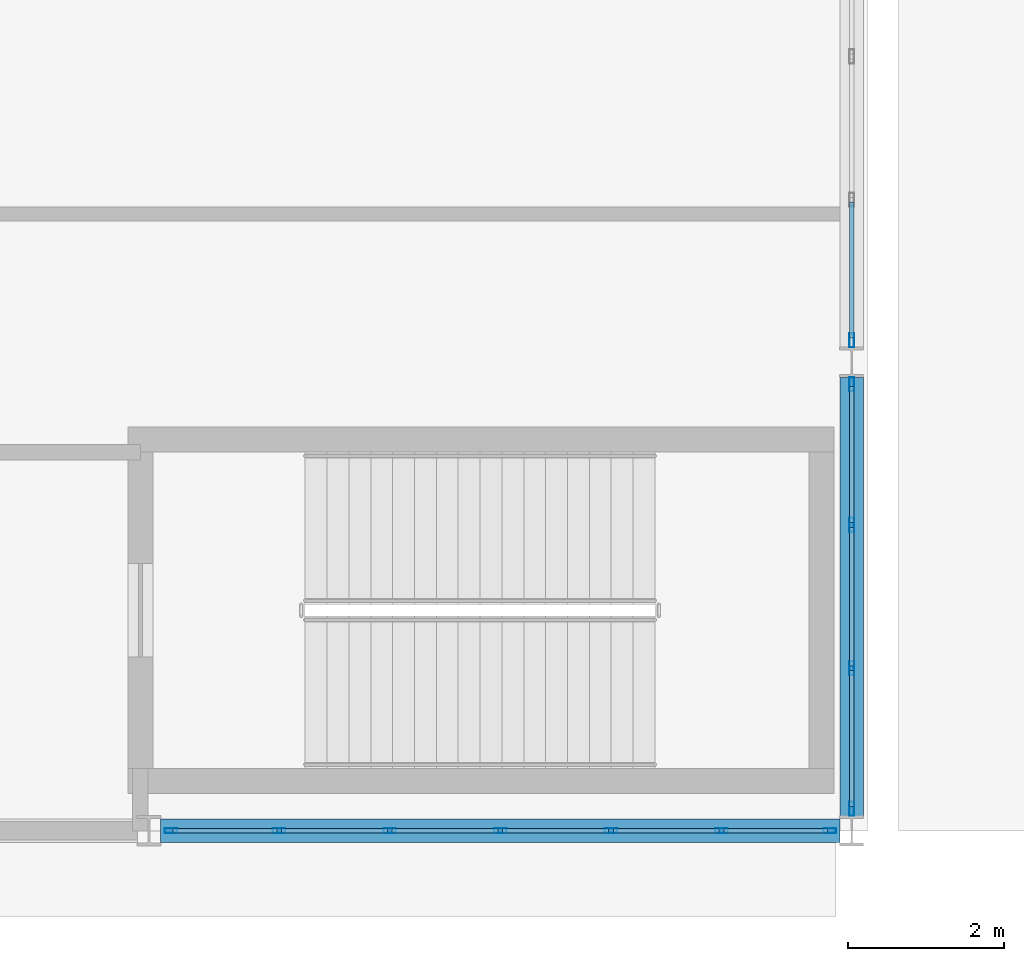
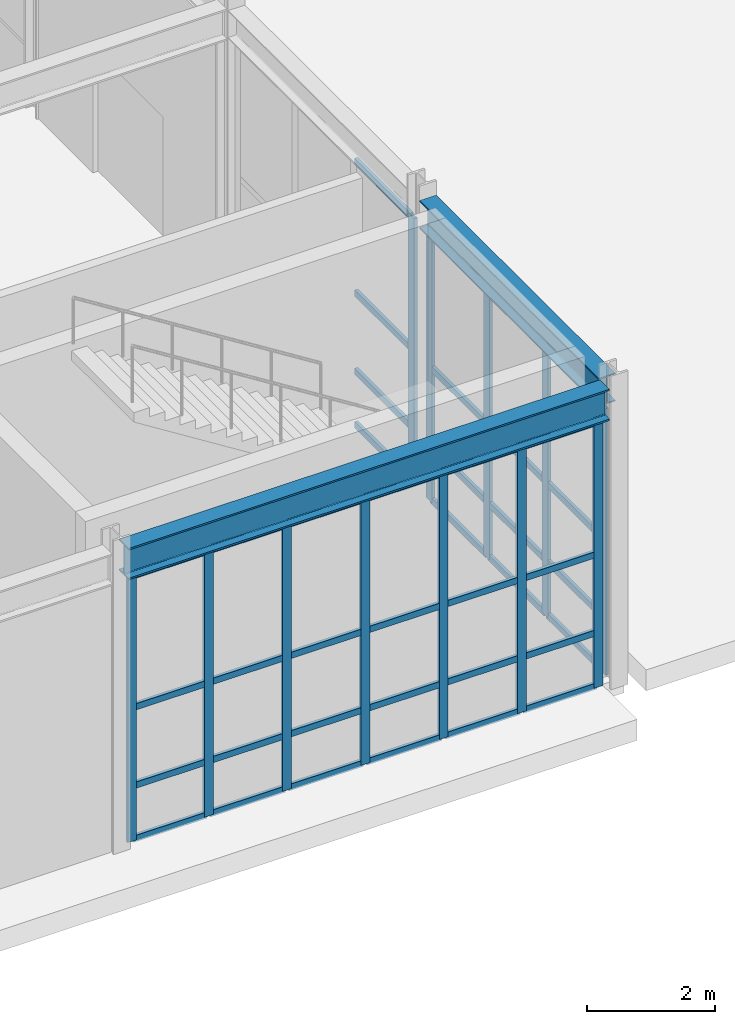
# One storey, part 36 of 146: 52 members, 2 beams, 3 elements without a shape of their own.
"""IFC4 building model written with IfcOpenShell, lengths in metres."""

from ifc_helpers import new_model, si_unit, direction, frame, origin, origin_2d, place, context, subcontext, project, spatial, hollow_rectangle, i_section, extrude, material, material_profile, profile_set, type_object, element, aggregate, save


model = new_model("IFC4")

# Units and contexts
model_context = context("Model", 3, precision=1e-05, world=origin(), true_north=direction((0.0, 1.0)))
body_context = subcontext(model_context, "Body", "Model", "MODEL_VIEW")
ifc_project = project(units=[si_unit("LENGTHUNIT", "METRE"), si_unit("AREAUNIT", "SQUARE_METRE"), si_unit("VOLUMEUNIT", "CUBIC_METRE"), si_unit("PLANEANGLEUNIT", "RADIAN"), si_unit("MASSUNIT", "GRAM", prefix="KILO")], contexts=[model_context])

# Site, building, storey
site_placement = place(None, origin())
site = spatial("IfcSite", under=ifc_project, at=site_placement, CompositionType="ELEMENT")
building_placement = place(site_placement, origin())
building = spatial("IfcBuilding", under=site, at=building_placement, Name="Kaldris Quays Convention Centre", CompositionType="ELEMENT")
storey_placement = place(building_placement, origin())
storey = spatial("IfcBuildingStorey", under=building, at=storey_placement, Name="L00", CompositionType="ELEMENT", Elevation=0.0)

# Curtain wall, members
ifc_material_1 = material(Name="Anodized aluminium AW-6060 and triple glazing", Category="aluminium")
curtain_wall_type_1 = type_object("IfcCurtainWallType", Name="UNITISED CURTAIN WALL CW01", PredefinedType="NOTDEFINED", material=ifc_material_1)
curtain_wall_1_placement = place(storey_placement, origin())
curtain_wall_1 = element("IfcCurtainWall", 1, at=curtain_wall_1_placement, inside=storey, type_object=curtain_wall_type_1, Name="L00 Unitised Curtain Wall CW01 49", PredefinedType="NOTDEFINED")
ifc_material_2 = material(Name="Anodized aluminium AW-6060", Category="aluminium")
ifc_material_profile_1 = material_profile(ifc_material_2, hollow_rectangle(XDim=0.06005859375, YDim=0.159912109375, WallThickness=0.00390625, at=origin_2d()), Name="RHS 160x60x4")
ifc_profile_set_1 = profile_set([ifc_material_profile_1], Name="Anodized aluminium AW-6060")
member_type_1 = type_object("IfcMemberType", Name="CURTAIN MULLION CWM1", PredefinedType="MULLION", material=ifc_profile_set_1)
member_1_placement = place(storey_placement, frame((74.280029296875, 16.0, 0.0), z_axis=(0.0, 0.0, 1.0), x_axis=(0.0, 1.0, 0.0)))
member_1 = element("IfcMember", 2, at=member_1_placement, type_object=member_type_1, Name="CW01 mullion 1", PredefinedType="MULLION", context=body_context, shape_type="SweptSolid", body=[
    extrude(hollow_rectangle(XDim=0.06005859375, YDim=0.159912109375, WallThickness=0.00390625, at=origin_2d()), origin(), (0.0, 0.0, 1.0), 5.097900390625),
])
member_2_placement = place(storey_placement, frame((75.666748046875, 16.0, 0.0), z_axis=(0.0, 0.0, 1.0), x_axis=(0.0, 1.0, 0.0)))
member_2 = element("IfcMember", 3, at=member_2_placement, type_object=member_type_1, Name="CW01 mullion 2", PredefinedType="MULLION", context=body_context, shape_type="SweptSolid", body=[
    extrude(hollow_rectangle(XDim=0.06005859375, YDim=0.159912109375, WallThickness=0.00390625, at=origin_2d()), origin(), (0.0, 0.0, 1.0), 5.097900390625),
])
member_3_placement = place(storey_placement, frame((77.083251953125, 16.0, 0.0), z_axis=(0.0, 0.0, 1.0), x_axis=(0.0, 1.0, 0.0)))
member_3 = element("IfcMember", 4, at=member_3_placement, type_object=member_type_1, Name="CW01 mullion 3", PredefinedType="MULLION", context=body_context, shape_type="SweptSolid", body=[
    extrude(hollow_rectangle(XDim=0.06005859375, YDim=0.159912109375, WallThickness=0.00390625, at=origin_2d()), origin(), (0.0, 0.0, 1.0), 5.097900390625),
])
member_4_placement = place(storey_placement, frame((78.5, 16.0, 0.0), z_axis=(0.0, 0.0, 1.0), x_axis=(0.0, 1.0, 0.0)))
member_4 = element("IfcMember", 5, at=member_4_placement, type_object=member_type_1, Name="CW01 mullion 4", PredefinedType="MULLION", context=body_context, shape_type="SweptSolid", body=[
    extrude(hollow_rectangle(XDim=0.06005859375, YDim=0.159912109375, WallThickness=0.00390625, at=origin_2d()), origin(), (0.0, 0.0, 1.0), 5.097900390625),
])
member_5_placement = place(storey_placement, frame((79.916748046875, 16.0, 0.0), z_axis=(0.0, 0.0, 1.0), x_axis=(0.0, 1.0, 0.0)))
member_5 = element("IfcMember", 6, at=member_5_placement, type_object=member_type_1, Name="CW01 mullion 5", PredefinedType="MULLION", context=body_context, shape_type="SweptSolid", body=[
    extrude(hollow_rectangle(XDim=0.06005859375, YDim=0.159912109375, WallThickness=0.00390625, at=origin_2d()), origin(), (0.0, 0.0, 1.0), 5.097900390625),
])
member_6_placement = place(storey_placement, frame((81.333251953125, 16.0, 0.0), z_axis=(0.0, 0.0, 1.0), x_axis=(0.0, 1.0, 0.0)))
member_6 = element("IfcMember", 7, at=member_6_placement, type_object=member_type_1, Name="CW01 mullion 6", PredefinedType="MULLION", context=body_context, shape_type="SweptSolid", body=[
    extrude(hollow_rectangle(XDim=0.06005859375, YDim=0.159912109375, WallThickness=0.00390625, at=origin_2d()), origin(), (0.0, 0.0, 1.0), 5.097900390625),
])
member_7_placement = place(storey_placement, frame((82.719970703125, 16.0, 0.0), z_axis=(0.0, 0.0, 1.0), x_axis=(0.0, 1.0, 0.0)))
member_7 = element("IfcMember", 8, at=member_7_placement, type_object=member_type_1, Name="CW01 mullion 7", PredefinedType="MULLION", context=body_context, shape_type="SweptSolid", body=[
    extrude(hollow_rectangle(XDim=0.06005859375, YDim=0.159912109375, WallThickness=0.00390625, at=origin_2d()), origin(), (0.0, 0.0, 1.0), 5.097900390625),
])

curtain_wall_type_2 = type_object("IfcCurtainWallType", Name="UNITISED CURTAIN WALL CW05", PredefinedType="NOTDEFINED", material=ifc_material_1)
curtain_wall_2_placement = place(storey_placement, origin())
curtain_wall_2 = element("IfcCurtainWall", 9, at=curtain_wall_2_placement, inside=storey, type_object=curtain_wall_type_2, Name="L00 Unitised Curtain Wall CW05 52", PredefinedType="NOTDEFINED")
ifc_material_profile_2 = material_profile(ifc_material_2, hollow_rectangle(XDim=0.06005859375, YDim=0.179931640625, WallThickness=0.0048828125, at=origin_2d()), Name="RHS 180x60x5")
ifc_profile_set_2 = profile_set([ifc_material_profile_2], Name="Anodized aluminium AW-6060")
member_type_2 = type_object("IfcMemberType", Name="CURTAIN MULLION CWM2", PredefinedType="MULLION", material=ifc_profile_set_2)
member_8_placement = place(storey_placement, frame((83.0, 16.280029296875, 0.0), z_axis=(0.0, 0.0, 1.0), x_axis=(-1.0, 0.0, 0.0)))
member_8 = element("IfcMember", 10, at=member_8_placement, type_object=member_type_2, Name="CW05 mullion 1", PredefinedType="MULLION", context=body_context, shape_type="SweptSolid", body=[
    extrude(hollow_rectangle(XDim=0.06005859375, YDim=0.179931640625, WallThickness=0.0048828125, at=origin_2d()), origin(), (0.0, 0.0, 1.0), 5.097900390625),
])
member_9_placement = place(storey_placement, frame((83.0, 18.083251953125, 0.0), z_axis=(0.0, 0.0, 1.0), x_axis=(-1.0, 0.0, 0.0)))
member_9 = element("IfcMember", 11, at=member_9_placement, type_object=member_type_2, Name="CW05 mullion 2", PredefinedType="MULLION", context=body_context, shape_type="SweptSolid", body=[
    extrude(hollow_rectangle(XDim=0.06005859375, YDim=0.179931640625, WallThickness=0.0048828125, at=origin_2d()), origin(), (0.0, 0.0, 1.0), 5.097900390625),
])
member_10_placement = place(storey_placement, frame((83.0, 19.916748046875, 0.0), z_axis=(0.0, 0.0, 1.0), x_axis=(-1.0, 0.0, 0.0)))
member_10 = element("IfcMember", 12, at=member_10_placement, type_object=member_type_2, Name="CW05 mullion 3", PredefinedType="MULLION", context=body_context, shape_type="SweptSolid", body=[
    extrude(hollow_rectangle(XDim=0.06005859375, YDim=0.179931640625, WallThickness=0.0048828125, at=origin_2d()), origin(), (0.0, 0.0, 1.0), 5.097900390625),
])
member_11_placement = place(storey_placement, frame((83.0, 21.719970703125, 0.0), z_axis=(0.0, 0.0, 1.0), x_axis=(-1.0, 0.0, 0.0)))
member_11 = element("IfcMember", 13, at=member_11_placement, type_object=member_type_2, Name="CW05 mullion 4", PredefinedType="MULLION", context=body_context, shape_type="SweptSolid", body=[
    extrude(hollow_rectangle(XDim=0.06005859375, YDim=0.179931640625, WallThickness=0.0048828125, at=origin_2d()), origin(), (0.0, 0.0, 1.0), 5.097900390625),
])

# Curtain wall, member
curtain_wall_3_placement = place(storey_placement, origin())
curtain_wall_3 = element("IfcCurtainWall", 14, at=curtain_wall_3_placement, inside=storey, type_object=curtain_wall_type_2, Name="L00 Unitised Curtain Wall CW05 54", PredefinedType="NOTDEFINED")
member_12_placement = place(storey_placement, frame((83.0, 22.280029296875, 0.0), z_axis=(0.0, 0.0, 1.0), x_axis=(-1.0, 0.0, 0.0)))
member_12 = element("IfcMember", 15, at=member_12_placement, type_object=member_type_2, Name="CW05 mullion 1", PredefinedType="MULLION", context=body_context, shape_type="SweptSolid", body=[
    extrude(hollow_rectangle(XDim=0.06005859375, YDim=0.179931640625, WallThickness=0.0048828125, at=origin_2d()), origin(), (0.0, 0.0, 1.0), 5.097900390625),
])

# Member
ifc_material_profile_3 = material_profile(ifc_material_2, hollow_rectangle(XDim=0.06005859375, YDim=0.1201171875, WallThickness=0.00390625, at=origin_2d()), Name="RHS 120x60x4")
ifc_profile_set_3 = profile_set([ifc_material_profile_3], Name="Anodized aluminium AW-6060")
member_type_3 = type_object("IfcMemberType", Name="CURTAIN TRANSOM CWT1", PredefinedType="USERDEFINED", material=ifc_profile_set_3)
member_13_placement = place(storey_placement, frame((74.31005859375, 16.0, 0.030029296875), z_axis=(1.0, 0.0, 0.0), x_axis=(0.0, 1.0, 0.0)))
member_13 = element("IfcMember", 16, at=member_13_placement, type_object=member_type_3, Name="CW01 transom 1.1", ObjectType="TRANSOM", PredefinedType="USERDEFINED", context=body_context, shape_type="SweptSolid", body=[
    extrude(hollow_rectangle(XDim=0.06005859375, YDim=0.1201171875, WallThickness=0.00390625, at=origin_2d()), origin(), (0.0, 0.0, 1.0), 1.32666015625),
])

member_14_placement = place(storey_placement, frame((74.31005859375, 16.0, 1.050048828125), z_axis=(1.0, 0.0, 0.0), x_axis=(0.0, 1.0, 0.0)))
member_14 = element("IfcMember", 17, at=member_14_placement, type_object=member_type_3, Name="CW01 transom 1.2", ObjectType="TRANSOM", PredefinedType="USERDEFINED", context=body_context, shape_type="SweptSolid", body=[
    extrude(hollow_rectangle(XDim=0.06005859375, YDim=0.1201171875, WallThickness=0.00390625, at=origin_2d()), origin(), (0.0, 0.0, 1.0), 1.32666015625),
])

member_15_placement = place(storey_placement, frame((74.31005859375, 16.0, 2.549072265625), z_axis=(1.0, 0.0, 0.0), x_axis=(0.0, 1.0, 0.0)))
member_15 = element("IfcMember", 18, at=member_15_placement, type_object=member_type_3, Name="CW01 transom 1.3", ObjectType="TRANSOM", PredefinedType="USERDEFINED", context=body_context, shape_type="SweptSolid", body=[
    extrude(hollow_rectangle(XDim=0.06005859375, YDim=0.1201171875, WallThickness=0.00390625, at=origin_2d()), origin(), (0.0, 0.0, 1.0), 1.32666015625),
])

member_16_placement = place(storey_placement, frame((74.31005859375, 16.0, 5.068115234375), z_axis=(1.0, 0.0, 0.0), x_axis=(0.0, 1.0, 0.0)))
member_16 = element("IfcMember", 19, at=member_16_placement, type_object=member_type_3, Name="CW01 transom 1.4", ObjectType="TRANSOM", PredefinedType="USERDEFINED", context=body_context, shape_type="SweptSolid", body=[
    extrude(hollow_rectangle(XDim=0.06005859375, YDim=0.1201171875, WallThickness=0.00390625, at=origin_2d()), origin(), (0.0, 0.0, 1.0), 1.32666015625),
])

member_17_placement = place(storey_placement, frame((75.69677734375, 16.0, 0.030029296875), z_axis=(1.0, 0.0, 0.0), x_axis=(0.0, 1.0, 0.0)))
member_17 = element("IfcMember", 20, at=member_17_placement, type_object=member_type_3, Name="CW01 transom 2.1", ObjectType="TRANSOM", PredefinedType="USERDEFINED", context=body_context, shape_type="SweptSolid", body=[
    extrude(hollow_rectangle(XDim=0.06005859375, YDim=0.1201171875, WallThickness=0.00390625, at=origin_2d()), origin(), (0.0, 0.0, 1.0), 1.3564453125),
])

member_18_placement = place(storey_placement, frame((75.69677734375, 16.0, 1.050048828125), z_axis=(1.0, 0.0, 0.0), x_axis=(0.0, 1.0, 0.0)))
member_18 = element("IfcMember", 21, at=member_18_placement, type_object=member_type_3, Name="CW01 transom 2.2", ObjectType="TRANSOM", PredefinedType="USERDEFINED", context=body_context, shape_type="SweptSolid", body=[
    extrude(hollow_rectangle(XDim=0.06005859375, YDim=0.1201171875, WallThickness=0.00390625, at=origin_2d()), origin(), (0.0, 0.0, 1.0), 1.3564453125),
])

member_19_placement = place(storey_placement, frame((75.69677734375, 16.0, 2.549072265625), z_axis=(1.0, 0.0, 0.0), x_axis=(0.0, 1.0, 0.0)))
member_19 = element("IfcMember", 22, at=member_19_placement, type_object=member_type_3, Name="CW01 transom 2.3", ObjectType="TRANSOM", PredefinedType="USERDEFINED", context=body_context, shape_type="SweptSolid", body=[
    extrude(hollow_rectangle(XDim=0.06005859375, YDim=0.1201171875, WallThickness=0.00390625, at=origin_2d()), origin(), (0.0, 0.0, 1.0), 1.3564453125),
])

member_20_placement = place(storey_placement, frame((75.69677734375, 16.0, 5.068115234375), z_axis=(1.0, 0.0, 0.0), x_axis=(0.0, 1.0, 0.0)))
member_20 = element("IfcMember", 23, at=member_20_placement, type_object=member_type_3, Name="CW01 transom 2.4", ObjectType="TRANSOM", PredefinedType="USERDEFINED", context=body_context, shape_type="SweptSolid", body=[
    extrude(hollow_rectangle(XDim=0.06005859375, YDim=0.1201171875, WallThickness=0.00390625, at=origin_2d()), origin(), (0.0, 0.0, 1.0), 1.3564453125),
])

member_21_placement = place(storey_placement, frame((77.11328125, 16.0, 0.030029296875), z_axis=(1.0, 0.0, 0.0), x_axis=(0.0, 1.0, 0.0)))
member_21 = element("IfcMember", 24, at=member_21_placement, type_object=member_type_3, Name="CW01 transom 3.1", ObjectType="TRANSOM", PredefinedType="USERDEFINED", context=body_context, shape_type="SweptSolid", body=[
    extrude(hollow_rectangle(XDim=0.06005859375, YDim=0.1201171875, WallThickness=0.00390625, at=origin_2d()), origin(), (0.0, 0.0, 1.0), 1.356689453125),
])

member_22_placement = place(storey_placement, frame((77.11328125, 16.0, 1.050048828125), z_axis=(1.0, 0.0, 0.0), x_axis=(0.0, 1.0, 0.0)))
member_22 = element("IfcMember", 25, at=member_22_placement, type_object=member_type_3, Name="CW01 transom 3.2", ObjectType="TRANSOM", PredefinedType="USERDEFINED", context=body_context, shape_type="SweptSolid", body=[
    extrude(hollow_rectangle(XDim=0.06005859375, YDim=0.1201171875, WallThickness=0.00390625, at=origin_2d()), origin(), (0.0, 0.0, 1.0), 1.356689453125),
])

member_23_placement = place(storey_placement, frame((77.11328125, 16.0, 2.549072265625), z_axis=(1.0, 0.0, 0.0), x_axis=(0.0, 1.0, 0.0)))
member_23 = element("IfcMember", 26, at=member_23_placement, type_object=member_type_3, Name="CW01 transom 3.3", ObjectType="TRANSOM", PredefinedType="USERDEFINED", context=body_context, shape_type="SweptSolid", body=[
    extrude(hollow_rectangle(XDim=0.06005859375, YDim=0.1201171875, WallThickness=0.00390625, at=origin_2d()), origin(), (0.0, 0.0, 1.0), 1.356689453125),
])

member_24_placement = place(storey_placement, frame((77.11328125, 16.0, 5.068115234375), z_axis=(1.0, 0.0, 0.0), x_axis=(0.0, 1.0, 0.0)))
member_24 = element("IfcMember", 27, at=member_24_placement, type_object=member_type_3, Name="CW01 transom 3.4", ObjectType="TRANSOM", PredefinedType="USERDEFINED", context=body_context, shape_type="SweptSolid", body=[
    extrude(hollow_rectangle(XDim=0.06005859375, YDim=0.1201171875, WallThickness=0.00390625, at=origin_2d()), origin(), (0.0, 0.0, 1.0), 1.356689453125),
])

member_25_placement = place(storey_placement, frame((78.530029296875, 16.0, 0.030029296875), z_axis=(1.0, 0.0, 0.0), x_axis=(0.0, 1.0, 0.0)))
member_25 = element("IfcMember", 28, at=member_25_placement, type_object=member_type_3, Name="CW01 transom 4.1", ObjectType="TRANSOM", PredefinedType="USERDEFINED", context=body_context, shape_type="SweptSolid", body=[
    extrude(hollow_rectangle(XDim=0.06005859375, YDim=0.1201171875, WallThickness=0.00390625, at=origin_2d()), origin(), (0.0, 0.0, 1.0), 1.356689453125),
])

member_26_placement = place(storey_placement, frame((78.530029296875, 16.0, 1.050048828125), z_axis=(1.0, 0.0, 0.0), x_axis=(0.0, 1.0, 0.0)))
member_26 = element("IfcMember", 29, at=member_26_placement, type_object=member_type_3, Name="CW01 transom 4.2", ObjectType="TRANSOM", PredefinedType="USERDEFINED", context=body_context, shape_type="SweptSolid", body=[
    extrude(hollow_rectangle(XDim=0.06005859375, YDim=0.1201171875, WallThickness=0.00390625, at=origin_2d()), origin(), (0.0, 0.0, 1.0), 1.356689453125),
])

member_27_placement = place(storey_placement, frame((78.530029296875, 16.0, 2.549072265625), z_axis=(1.0, 0.0, 0.0), x_axis=(0.0, 1.0, 0.0)))
member_27 = element("IfcMember", 30, at=member_27_placement, type_object=member_type_3, Name="CW01 transom 4.3", ObjectType="TRANSOM", PredefinedType="USERDEFINED", context=body_context, shape_type="SweptSolid", body=[
    extrude(hollow_rectangle(XDim=0.06005859375, YDim=0.1201171875, WallThickness=0.00390625, at=origin_2d()), origin(), (0.0, 0.0, 1.0), 1.356689453125),
])

member_28_placement = place(storey_placement, frame((78.530029296875, 16.0, 5.068115234375), z_axis=(1.0, 0.0, 0.0), x_axis=(0.0, 1.0, 0.0)))
member_28 = element("IfcMember", 31, at=member_28_placement, type_object=member_type_3, Name="CW01 transom 4.4", ObjectType="TRANSOM", PredefinedType="USERDEFINED", context=body_context, shape_type="SweptSolid", body=[
    extrude(hollow_rectangle(XDim=0.06005859375, YDim=0.1201171875, WallThickness=0.00390625, at=origin_2d()), origin(), (0.0, 0.0, 1.0), 1.356689453125),
])

member_29_placement = place(storey_placement, frame((79.94677734375, 16.0, 0.030029296875), z_axis=(1.0, 0.0, 0.0), x_axis=(0.0, 1.0, 0.0)))
member_29 = element("IfcMember", 32, at=member_29_placement, type_object=member_type_3, Name="CW01 transom 5.1", ObjectType="TRANSOM", PredefinedType="USERDEFINED", context=body_context, shape_type="SweptSolid", body=[
    extrude(hollow_rectangle(XDim=0.06005859375, YDim=0.1201171875, WallThickness=0.00390625, at=origin_2d()), origin(), (0.0, 0.0, 1.0), 1.3564453125),
])

member_30_placement = place(storey_placement, frame((79.94677734375, 16.0, 1.050048828125), z_axis=(1.0, 0.0, 0.0), x_axis=(0.0, 1.0, 0.0)))
member_30 = element("IfcMember", 33, at=member_30_placement, type_object=member_type_3, Name="CW01 transom 5.2", ObjectType="TRANSOM", PredefinedType="USERDEFINED", context=body_context, shape_type="SweptSolid", body=[
    extrude(hollow_rectangle(XDim=0.06005859375, YDim=0.1201171875, WallThickness=0.00390625, at=origin_2d()), origin(), (0.0, 0.0, 1.0), 1.3564453125),
])

member_31_placement = place(storey_placement, frame((79.94677734375, 16.0, 2.549072265625), z_axis=(1.0, 0.0, 0.0), x_axis=(0.0, 1.0, 0.0)))
member_31 = element("IfcMember", 34, at=member_31_placement, type_object=member_type_3, Name="CW01 transom 5.3", ObjectType="TRANSOM", PredefinedType="USERDEFINED", context=body_context, shape_type="SweptSolid", body=[
    extrude(hollow_rectangle(XDim=0.06005859375, YDim=0.1201171875, WallThickness=0.00390625, at=origin_2d()), origin(), (0.0, 0.0, 1.0), 1.3564453125),
])

member_32_placement = place(storey_placement, frame((79.94677734375, 16.0, 5.068115234375), z_axis=(1.0, 0.0, 0.0), x_axis=(0.0, 1.0, 0.0)))
member_32 = element("IfcMember", 35, at=member_32_placement, type_object=member_type_3, Name="CW01 transom 5.4", ObjectType="TRANSOM", PredefinedType="USERDEFINED", context=body_context, shape_type="SweptSolid", body=[
    extrude(hollow_rectangle(XDim=0.06005859375, YDim=0.1201171875, WallThickness=0.00390625, at=origin_2d()), origin(), (0.0, 0.0, 1.0), 1.3564453125),
])

member_33_placement = place(storey_placement, frame((81.36328125, 16.0, 0.030029296875), z_axis=(1.0, 0.0, 0.0), x_axis=(0.0, 1.0, 0.0)))
member_33 = element("IfcMember", 36, at=member_33_placement, type_object=member_type_3, Name="CW01 transom 6.1", ObjectType="TRANSOM", PredefinedType="USERDEFINED", context=body_context, shape_type="SweptSolid", body=[
    extrude(hollow_rectangle(XDim=0.06005859375, YDim=0.1201171875, WallThickness=0.00390625, at=origin_2d()), origin(), (0.0, 0.0, 1.0), 1.32666015625),
])

member_34_placement = place(storey_placement, frame((81.36328125, 16.0, 1.050048828125), z_axis=(1.0, 0.0, 0.0), x_axis=(0.0, 1.0, 0.0)))
member_34 = element("IfcMember", 37, at=member_34_placement, type_object=member_type_3, Name="CW01 transom 6.2", ObjectType="TRANSOM", PredefinedType="USERDEFINED", context=body_context, shape_type="SweptSolid", body=[
    extrude(hollow_rectangle(XDim=0.06005859375, YDim=0.1201171875, WallThickness=0.00390625, at=origin_2d()), origin(), (0.0, 0.0, 1.0), 1.32666015625),
])

member_35_placement = place(storey_placement, frame((81.36328125, 16.0, 2.549072265625), z_axis=(1.0, 0.0, 0.0), x_axis=(0.0, 1.0, 0.0)))
member_35 = element("IfcMember", 38, at=member_35_placement, type_object=member_type_3, Name="CW01 transom 6.3", ObjectType="TRANSOM", PredefinedType="USERDEFINED", context=body_context, shape_type="SweptSolid", body=[
    extrude(hollow_rectangle(XDim=0.06005859375, YDim=0.1201171875, WallThickness=0.00390625, at=origin_2d()), origin(), (0.0, 0.0, 1.0), 1.32666015625),
])

member_36_placement = place(storey_placement, frame((81.36328125, 16.0, 5.068115234375), z_axis=(1.0, 0.0, 0.0), x_axis=(0.0, 1.0, 0.0)))
member_36 = element("IfcMember", 39, at=member_36_placement, type_object=member_type_3, Name="CW01 transom 6.4", ObjectType="TRANSOM", PredefinedType="USERDEFINED", context=body_context, shape_type="SweptSolid", body=[
    extrude(hollow_rectangle(XDim=0.06005859375, YDim=0.1201171875, WallThickness=0.00390625, at=origin_2d()), origin(), (0.0, 0.0, 1.0), 1.32666015625),
])

aggregate(curtain_wall_1, [member_1, member_2, member_3, member_4, member_5, member_6, member_7, member_13, member_14, member_15, member_16, member_17, member_18, member_19, member_20, member_21, member_22, member_23, member_24, member_25, member_26, member_27, member_28, member_29, member_30, member_31, member_32, member_33, member_34, member_35, member_36])

member_37_placement = place(storey_placement, frame((83.0, 16.31005859375, 0.030029296875), z_axis=(0.0, 1.0, 0.0), x_axis=(-1.0, 0.0, 0.0)))
member_37 = element("IfcMember", 40, at=member_37_placement, type_object=member_type_3, Name="CW05 transom 1.1", ObjectType="TRANSOM", PredefinedType="USERDEFINED", context=body_context, shape_type="SweptSolid", body=[
    extrude(hollow_rectangle(XDim=0.06005859375, YDim=0.1201171875, WallThickness=0.00390625, at=origin_2d()), origin(), (0.0, 0.0, 1.0), 1.7431640625),
])

member_38_placement = place(storey_placement, frame((83.0, 16.31005859375, 1.050048828125), z_axis=(0.0, 1.0, 0.0), x_axis=(-1.0, 0.0, 0.0)))
member_38 = element("IfcMember", 41, at=member_38_placement, type_object=member_type_3, Name="CW05 transom 1.2", ObjectType="TRANSOM", PredefinedType="USERDEFINED", context=body_context, shape_type="SweptSolid", body=[
    extrude(hollow_rectangle(XDim=0.06005859375, YDim=0.1201171875, WallThickness=0.00390625, at=origin_2d()), origin(), (0.0, 0.0, 1.0), 1.7431640625),
])

member_39_placement = place(storey_placement, frame((83.0, 16.31005859375, 2.549072265625), z_axis=(0.0, 1.0, 0.0), x_axis=(-1.0, 0.0, 0.0)))
member_39 = element("IfcMember", 42, at=member_39_placement, type_object=member_type_3, Name="CW05 transom 1.3", ObjectType="TRANSOM", PredefinedType="USERDEFINED", context=body_context, shape_type="SweptSolid", body=[
    extrude(hollow_rectangle(XDim=0.06005859375, YDim=0.1201171875, WallThickness=0.00390625, at=origin_2d()), origin(), (0.0, 0.0, 1.0), 1.7431640625),
])

member_40_placement = place(storey_placement, frame((83.0, 16.31005859375, 5.068115234375), z_axis=(0.0, 1.0, 0.0), x_axis=(-1.0, 0.0, 0.0)))
member_40 = element("IfcMember", 43, at=member_40_placement, type_object=member_type_3, Name="CW05 transom 1.4", ObjectType="TRANSOM", PredefinedType="USERDEFINED", context=body_context, shape_type="SweptSolid", body=[
    extrude(hollow_rectangle(XDim=0.06005859375, YDim=0.1201171875, WallThickness=0.00390625, at=origin_2d()), origin(), (0.0, 0.0, 1.0), 1.7431640625),
])

member_41_placement = place(storey_placement, frame((83.0, 18.11328125, 0.030029296875), z_axis=(0.0, 1.0, 0.0), x_axis=(-1.0, 0.0, 0.0)))
member_41 = element("IfcMember", 44, at=member_41_placement, type_object=member_type_3, Name="CW05 transom 2.1", ObjectType="TRANSOM", PredefinedType="USERDEFINED", context=body_context, shape_type="SweptSolid", body=[
    extrude(hollow_rectangle(XDim=0.06005859375, YDim=0.1201171875, WallThickness=0.00390625, at=origin_2d()), origin(), (0.0, 0.0, 1.0), 1.7734375),
])

member_42_placement = place(storey_placement, frame((83.0, 18.11328125, 1.050048828125), z_axis=(0.0, 1.0, 0.0), x_axis=(-1.0, 0.0, 0.0)))
member_42 = element("IfcMember", 45, at=member_42_placement, type_object=member_type_3, Name="CW05 transom 2.2", ObjectType="TRANSOM", PredefinedType="USERDEFINED", context=body_context, shape_type="SweptSolid", body=[
    extrude(hollow_rectangle(XDim=0.06005859375, YDim=0.1201171875, WallThickness=0.00390625, at=origin_2d()), origin(), (0.0, 0.0, 1.0), 1.7734375),
])

member_43_placement = place(storey_placement, frame((83.0, 18.11328125, 2.549072265625), z_axis=(0.0, 1.0, 0.0), x_axis=(-1.0, 0.0, 0.0)))
member_43 = element("IfcMember", 46, at=member_43_placement, type_object=member_type_3, Name="CW05 transom 2.3", ObjectType="TRANSOM", PredefinedType="USERDEFINED", context=body_context, shape_type="SweptSolid", body=[
    extrude(hollow_rectangle(XDim=0.06005859375, YDim=0.1201171875, WallThickness=0.00390625, at=origin_2d()), origin(), (0.0, 0.0, 1.0), 1.7734375),
])

member_44_placement = place(storey_placement, frame((83.0, 18.11328125, 5.068115234375), z_axis=(0.0, 1.0, 0.0), x_axis=(-1.0, 0.0, 0.0)))
member_44 = element("IfcMember", 47, at=member_44_placement, type_object=member_type_3, Name="CW05 transom 2.4", ObjectType="TRANSOM", PredefinedType="USERDEFINED", context=body_context, shape_type="SweptSolid", body=[
    extrude(hollow_rectangle(XDim=0.06005859375, YDim=0.1201171875, WallThickness=0.00390625, at=origin_2d()), origin(), (0.0, 0.0, 1.0), 1.7734375),
])

member_45_placement = place(storey_placement, frame((83.0, 19.94677734375, 0.030029296875), z_axis=(0.0, 1.0, 0.0), x_axis=(-1.0, 0.0, 0.0)))
member_45 = element("IfcMember", 48, at=member_45_placement, type_object=member_type_3, Name="CW05 transom 3.1", ObjectType="TRANSOM", PredefinedType="USERDEFINED", context=body_context, shape_type="SweptSolid", body=[
    extrude(hollow_rectangle(XDim=0.06005859375, YDim=0.1201171875, WallThickness=0.00390625, at=origin_2d()), origin(), (0.0, 0.0, 1.0), 1.7431640625),
])

member_46_placement = place(storey_placement, frame((83.0, 19.94677734375, 1.050048828125), z_axis=(0.0, 1.0, 0.0), x_axis=(-1.0, 0.0, 0.0)))
member_46 = element("IfcMember", 49, at=member_46_placement, type_object=member_type_3, Name="CW05 transom 3.2", ObjectType="TRANSOM", PredefinedType="USERDEFINED", context=body_context, shape_type="SweptSolid", body=[
    extrude(hollow_rectangle(XDim=0.06005859375, YDim=0.1201171875, WallThickness=0.00390625, at=origin_2d()), origin(), (0.0, 0.0, 1.0), 1.7431640625),
])

member_47_placement = place(storey_placement, frame((83.0, 19.94677734375, 2.549072265625), z_axis=(0.0, 1.0, 0.0), x_axis=(-1.0, 0.0, 0.0)))
member_47 = element("IfcMember", 50, at=member_47_placement, type_object=member_type_3, Name="CW05 transom 3.3", ObjectType="TRANSOM", PredefinedType="USERDEFINED", context=body_context, shape_type="SweptSolid", body=[
    extrude(hollow_rectangle(XDim=0.06005859375, YDim=0.1201171875, WallThickness=0.00390625, at=origin_2d()), origin(), (0.0, 0.0, 1.0), 1.7431640625),
])

member_48_placement = place(storey_placement, frame((83.0, 19.94677734375, 5.068115234375), z_axis=(0.0, 1.0, 0.0), x_axis=(-1.0, 0.0, 0.0)))
member_48 = element("IfcMember", 51, at=member_48_placement, type_object=member_type_3, Name="CW05 transom 3.4", ObjectType="TRANSOM", PredefinedType="USERDEFINED", context=body_context, shape_type="SweptSolid", body=[
    extrude(hollow_rectangle(XDim=0.06005859375, YDim=0.1201171875, WallThickness=0.00390625, at=origin_2d()), origin(), (0.0, 0.0, 1.0), 1.7431640625),
])

aggregate(curtain_wall_2, [member_8, member_9, member_10, member_11, member_37, member_38, member_39, member_40, member_41, member_42, member_43, member_44, member_45, member_46, member_47, member_48])

member_49_placement = place(storey_placement, frame((83.0, 22.31005859375, 0.030029296875), z_axis=(0.0, 1.0, 0.0), x_axis=(-1.0, 0.0, 0.0)))
member_49 = element("IfcMember", 52, at=member_49_placement, type_object=member_type_3, Name="CW05 transom 1.1", ObjectType="TRANSOM", PredefinedType="USERDEFINED", context=body_context, shape_type="SweptSolid", body=[
    extrude(hollow_rectangle(XDim=0.06005859375, YDim=0.1201171875, WallThickness=0.00390625, at=origin_2d()), origin(), (0.0, 0.0, 1.0), 1.7431640625),
])

member_50_placement = place(storey_placement, frame((83.0, 22.31005859375, 1.050048828125), z_axis=(0.0, 1.0, 0.0), x_axis=(-1.0, 0.0, 0.0)))
member_50 = element("IfcMember", 53, at=member_50_placement, type_object=member_type_3, Name="CW05 transom 1.2", ObjectType="TRANSOM", PredefinedType="USERDEFINED", context=body_context, shape_type="SweptSolid", body=[
    extrude(hollow_rectangle(XDim=0.06005859375, YDim=0.1201171875, WallThickness=0.00390625, at=origin_2d()), origin(), (0.0, 0.0, 1.0), 1.7431640625),
])

member_51_placement = place(storey_placement, frame((83.0, 22.31005859375, 2.549072265625), z_axis=(0.0, 1.0, 0.0), x_axis=(-1.0, 0.0, 0.0)))
member_51 = element("IfcMember", 54, at=member_51_placement, type_object=member_type_3, Name="CW05 transom 1.3", ObjectType="TRANSOM", PredefinedType="USERDEFINED", context=body_context, shape_type="SweptSolid", body=[
    extrude(hollow_rectangle(XDim=0.06005859375, YDim=0.1201171875, WallThickness=0.00390625, at=origin_2d()), origin(), (0.0, 0.0, 1.0), 1.7431640625),
])

member_52_placement = place(storey_placement, frame((83.0, 22.31005859375, 5.068115234375), z_axis=(0.0, 1.0, 0.0), x_axis=(-1.0, 0.0, 0.0)))
member_52 = element("IfcMember", 55, at=member_52_placement, type_object=member_type_3, Name="CW05 transom 1.4", ObjectType="TRANSOM", PredefinedType="USERDEFINED", context=body_context, shape_type="SweptSolid", body=[
    extrude(hollow_rectangle(XDim=0.06005859375, YDim=0.1201171875, WallThickness=0.00390625, at=origin_2d()), origin(), (0.0, 0.0, 1.0), 1.7431640625),
])

aggregate(curtain_wall_3, [member_12, member_49, member_50, member_51, member_52])

# Beams
ifc_material_3 = material(Name="Steel S355J2", Category="steel")
ifc_material_profile_4 = material_profile(ifc_material_3, i_section(OverallWidth=0.300048828125, OverallDepth=0.60009765625, WebThickness=0.015380859375, FlangeThickness=0.030029296875, FilletRadius=0.027099609375, at=origin_2d()), Name="HEB 600")
ifc_profile_set_4 = profile_set([ifc_material_profile_4], Name="Steel S355J2")
beam_type_1 = type_object("IfcBeamType", Name="STRUCTURAL BEAM BM05", PredefinedType="BEAM", material=ifc_profile_set_4)
beam_1_placement = place(storey_placement, frame((74.14794921875, 16.0, 5.423095703125), z_axis=(1.0, 0.0, 0.0), x_axis=(0.0, 1.0, 0.0)))
element("IfcBeam", 56, at=beam_1_placement, inside=storey, type_object=beam_type_1, Name="L00 Girder BM05 7", PredefinedType="BEAM", context=body_context, shape_type="SweptSolid", body=[
    extrude(i_section(OverallWidth=0.300048828125, OverallDepth=0.60009765625, WebThickness=0.015380859375, FlangeThickness=0.030029296875, FilletRadius=0.027099609375, at=origin_2d()), origin(), (0.0, 0.0, 1.0), 8.7041015625),
])
ifc_material_profile_5 = material_profile(ifc_material_3, i_section(OverallWidth=0.300048828125, OverallDepth=0.5400390625, WebThickness=0.012451171875, FlangeThickness=0.02392578125, FilletRadius=0.027099609375, at=origin_2d()), Name="HEA 550")
ifc_profile_set_5 = profile_set([ifc_material_profile_5], Name="Steel S355J2")
beam_type_2 = type_object("IfcBeamType", Name="STRUCTURAL BEAM BM13", PredefinedType="BEAM", material=ifc_profile_set_5)
beam_2_placement = place(storey_placement, frame((83.0, 16.19140625, 5.452880859375), z_axis=(0.0, 1.0, 0.0), x_axis=(-1.0, 0.0, 0.0)))
element("IfcBeam", 57, at=beam_2_placement, inside=storey, type_object=beam_type_2, Name="L00 Girder BM13 44", PredefinedType="BEAM", context=body_context, shape_type="SweptSolid", body=[
    extrude(i_section(OverallWidth=0.300048828125, OverallDepth=0.5400390625, WebThickness=0.012451171875, FlangeThickness=0.02392578125, FilletRadius=0.027099609375, at=origin_2d()), origin(), (0.0, 0.0, 1.0), 5.6171875),
])

save(model, "model.ifc")
